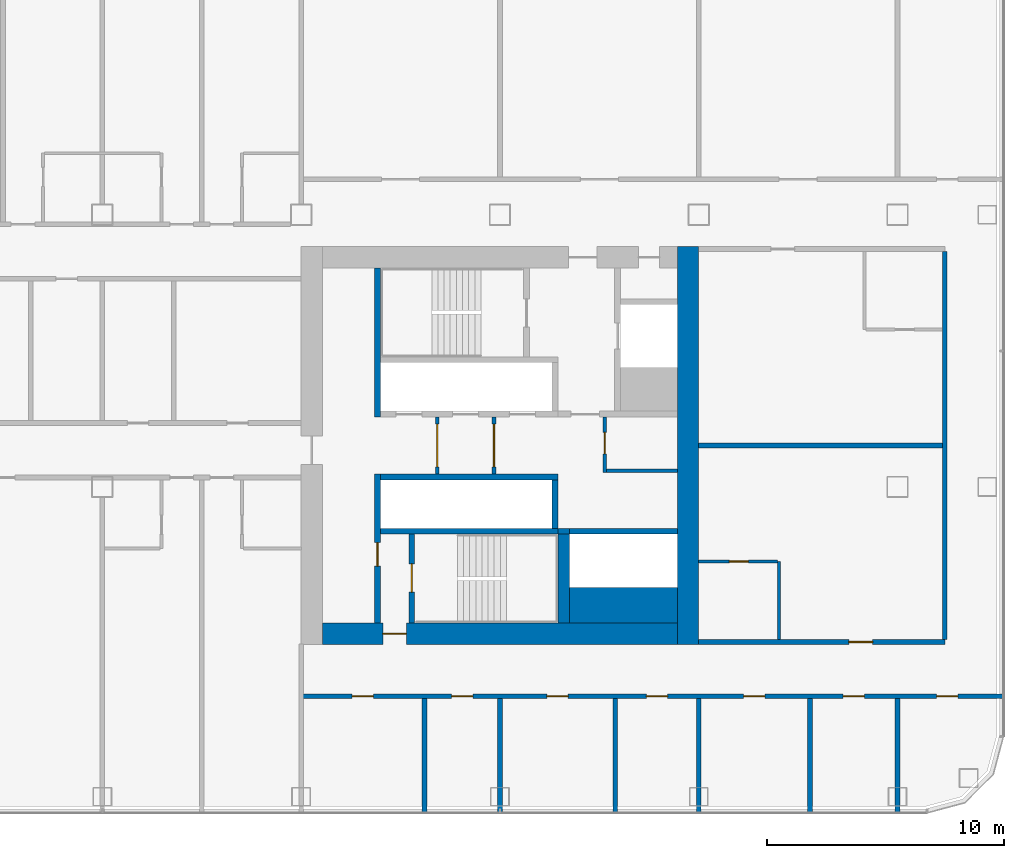
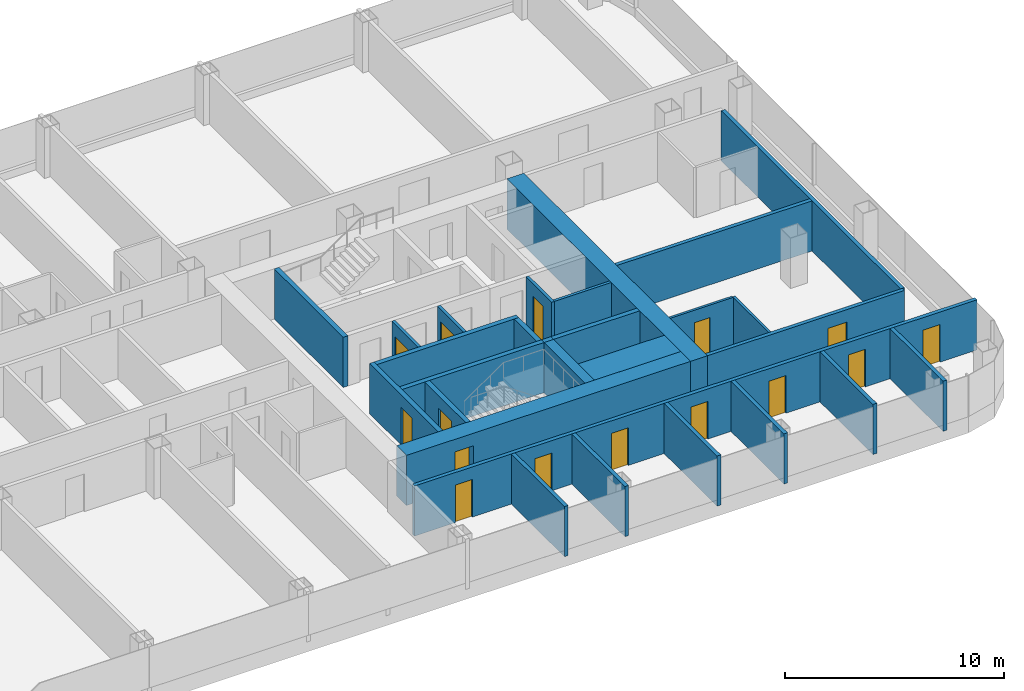
# One storey, part 19 of 29: 28 walls, 15 doors, 15 openings.
"""IFC4 building model written with IfcOpenShell, lengths in metres."""

from ifc_helpers import new_model, si_unit, direction, frame, frame_2d, origin, place, context, subcontext, project, spatial, rectangle, extrude, material, layer, layer_set, type_object, element, fill, save


model = new_model("IFC4")

# Units and contexts
model_context = context("Model", 3, precision=1e-05, world=origin(), true_north=direction((0.0, 1.0)))
body_context = subcontext(model_context, "Body", "Model", "MODEL_VIEW")
ifc_project = project(units=[si_unit("LENGTHUNIT", "METRE"), si_unit("AREAUNIT", "SQUARE_METRE"), si_unit("VOLUMEUNIT", "CUBIC_METRE"), si_unit("PLANEANGLEUNIT", "RADIAN"), si_unit("MASSUNIT", "GRAM", prefix="KILO")], contexts=[model_context])

# Site, building, storey
site_placement = place(None, origin())
site = spatial("IfcSite", under=ifc_project, at=site_placement, CompositionType="ELEMENT")
building_placement = place(site_placement, origin())
building = spatial("IfcBuilding", under=site, at=building_placement, Name="Hakoniwa Tower and Hamabe Station Hall", CompositionType="ELEMENT")
storey_placement = place(building_placement, frame((0.0, 0.0, 78.60009765625)))
storey = spatial("IfcBuildingStorey", under=building, at=storey_placement, Name="L21", CompositionType="ELEMENT", Elevation=78.60009765625)

# Wall, opening, door
ifc_material_1 = material(Name="Gypsum board partition", Category="gypsum")
ifc_layer_1 = layer(ifc_material_1, 0.125)
ifc_layer_set_1 = layer_set([ifc_layer_1], Name="Bathroom Partition 125")
wall_type_1 = type_object("IfcWallType", Name="Bathroom Partition 125", PredefinedType="PARTITIONING", material=ifc_layer_set_1)
wall_1_placement = place(storey_placement, frame((33.60009765625, -4.89990234375, 0.0), z_axis=(0.0, 0.0, 1.0), x_axis=(1.0, 0.0, 0.0)))
wall_1 = element("IfcWall", 1, at=wall_1_placement, inside=storey, type_object=wall_type_1, Name="GW-L21-006", PredefinedType="PARTITIONING", context=body_context, shape_type="SweptSolid", body=[
    extrude(rectangle(XDim=3.33740234375, YDim=0.125, at=frame_2d((1.668701171875, 0.0))), origin(), (0.0, 0.0, 1.0), 2.7998046875),
])
opening_1_placement = place(wall_1_placement, frame((1.300048828125, 0.0, 0.0)))
opening_1 = element("IfcOpeningElement", 2, at=opening_1_placement, cuts=wall_1, Name="Opening GD-G2B0-17", PredefinedType="OPENING", context=body_context, shape_type="SweptSolid", body=[
    extrude(rectangle(XDim=0.800048828125, YDim=2.10009765625, at=frame_2d((0.39990234375, 1.050048828125))), frame((0.0, 0.072509765625, 0.0), z_axis=(0.0, -1.0, 0.0), x_axis=(1.0, 0.0, 0.0)), (0.0, 0.0, 1.0), 0.14501953125),
])
ifc_material_2 = material(Name="Timber door leaf", Category="wood")
door_type_1 = type_object("IfcDoorType", Name="Bathroom Door 800", OperationType="SINGLE_SWING_LEFT", PredefinedType="DOOR", material=ifc_material_2)
door_1_placement = place(opening_1_placement, origin())
door_1 = element("IfcDoor", 3, at=door_1_placement, inside=storey, type_object=door_type_1, Name="Door GD-G2B0-17", OperationType="SINGLE_SWING_RIGHT", OverallHeight=2.10009765625, OverallWidth=0.800048828125, PredefinedType="DOOR", context=body_context, shape_type="SweptSolid", body=[
    extrude(rectangle(XDim=0.800048828125, YDim=2.10009765625, at=frame_2d((0.39990234375, 1.050048828125))), frame((0.0, 0.02490234375, 0.0), z_axis=(0.0, -1.0, 0.0), x_axis=(1.0, 0.0, 0.0)), (0.0, 0.0, 1.0), 0.050048828125),
])
fill(opening_1, door_1)

# Wall
wall_2_placement = place(storey_placement, frame((37.0, -8.199951171875, 0.0), z_axis=(0.0, 0.0, 1.0), x_axis=(0.0, 1.0, 0.0)))
element("IfcWall", 4, at=wall_2_placement, inside=storey, type_object=wall_type_1, Name="GW-L21-085", PredefinedType="PARTITIONING", context=body_context, shape_type="SweptSolid", body=[
    extrude(rectangle(XDim=3.300048828125, YDim=0.125, at=frame_2d((1.64990234375, 0.0))), origin(), (0.0, 0.0, 1.0), 2.7998046875),
])

# Wall, opening, door
ifc_material_3 = material(Name="Gypsum board partition")
ifc_layer_2 = layer(ifc_material_3, 0.14990234375)
ifc_layer_set_2 = layer_set([ifc_layer_2], Name="CORE PARTITION 150 EI 60")
wall_type_2 = type_object("IfcWallType", Name="CORE PARTITION 150 EI 60", PredefinedType="PARTITIONING", material=ifc_layer_set_2)
wall_3_placement = place(storey_placement, frame((22.550048828125, -1.199951171875, 0.0), z_axis=(0.0, 0.0, 1.0), x_axis=(0.0, 1.0, 0.0)))
wall_3 = element("IfcWall", 5, at=wall_3_placement, inside=storey, type_object=wall_type_2, Name="Core partition PL0 east", PredefinedType="PARTITIONING", context=body_context, shape_type="SweptSolid", body=[
    extrude(rectangle(XDim=2.39990234375, YDim=0.14990234375, at=frame_2d((1.199951171875, 0.0))), origin(), (0.0, 0.0, 1.0), 2.7998046875),
])
opening_2_placement = place(wall_3_placement, frame((0.300048828125, 0.0, 0.0)))
opening_2 = element("IfcOpeningElement", 6, at=opening_2_placement, cuts=wall_3, Name="Opening CD-E-LP0-18", PredefinedType="OPENING", context=body_context, shape_type="SweptSolid", body=[
    extrude(rectangle(XDim=1.800048828125, YDim=2.10009765625, at=frame_2d((0.89990234375, 1.050048828125))), frame((0.0, 0.0849609375, 0.0), z_axis=(0.0, -1.0, 0.0), x_axis=(1.0, 0.0, 0.0)), (0.0, 0.0, 1.0), 0.169921875),
])
ifc_material_4 = material(Name="Steel fire door", Category="steel")
door_type_2 = type_object("IfcDoorType", Name="CORE DOOR 1800 FD60", OperationType="DOUBLE_DOOR_SINGLE_SWING", PredefinedType="DOOR", material=ifc_material_4)
door_2_placement = place(opening_2_placement, origin())
door_2 = element("IfcDoor", 7, at=door_2_placement, inside=storey, type_object=door_type_2, Name="Lift lobby partition door", OperationType="DOUBLE_DOOR_SINGLE_SWING", OverallHeight=2.10009765625, OverallWidth=1.800048828125, PredefinedType="DOOR", context=body_context, shape_type="SweptSolid", body=[
    extrude(rectangle(XDim=1.800048828125, YDim=2.10009765625, at=frame_2d((0.89990234375, 1.050048828125))), frame((0.0, 0.02490234375, 0.0), z_axis=(0.0, -1.0, 0.0), x_axis=(1.0, 0.0, 0.0)), (0.0, 0.0, 1.0), 0.050048828125),
])
fill(opening_2, door_2)

wall_4_placement = place(storey_placement, frame((24.949951171875, -1.199951171875, 0.0), z_axis=(0.0, 0.0, 1.0), x_axis=(0.0, 1.0, 0.0)))
wall_4 = element("IfcWall", 8, at=wall_4_placement, inside=storey, type_object=wall_type_2, Name="Core partition PL1 east", PredefinedType="PARTITIONING", context=body_context, shape_type="SweptSolid", body=[
    extrude(rectangle(XDim=2.39990234375, YDim=0.14990234375, at=frame_2d((1.199951171875, 0.0))), origin(), (0.0, 0.0, 1.0), 2.7998046875),
])
opening_3_placement = place(wall_4_placement, frame((0.300048828125, 0.0, 0.0)))
opening_3 = element("IfcOpeningElement", 9, at=opening_3_placement, cuts=wall_4, Name="Opening CD-E-LP1-18", PredefinedType="OPENING", context=body_context, shape_type="SweptSolid", body=[
    extrude(rectangle(XDim=1.800048828125, YDim=2.10009765625, at=frame_2d((0.89990234375, 1.050048828125))), frame((0.0, 0.0849609375, 0.0), z_axis=(0.0, -1.0, 0.0), x_axis=(1.0, 0.0, 0.0)), (0.0, 0.0, 1.0), 0.169921875),
])
door_3_placement = place(opening_3_placement, origin())
door_3 = element("IfcDoor", 10, at=door_3_placement, inside=storey, type_object=door_type_2, Name="Lift lobby partition door", OperationType="DOUBLE_DOOR_SINGLE_SWING", OverallHeight=2.10009765625, OverallWidth=1.800048828125, PredefinedType="DOOR", context=body_context, shape_type="SweptSolid", body=[
    extrude(rectangle(XDim=1.800048828125, YDim=2.10009765625, at=frame_2d((0.89990234375, 1.050048828125))), frame((0.0, 0.02490234375, 0.0), z_axis=(0.0, -1.0, 0.0), x_axis=(1.0, 0.0, 0.0)), (0.0, 0.0, 1.0), 0.050048828125),
])
fill(opening_3, door_3)

wall_5_placement = place(storey_placement, frame((29.625, -1.14990234375, 0.0), z_axis=(0.0, 0.0, 1.0), x_axis=(0.0, 1.0, 0.0)))
wall_5 = element("IfcWall", 11, at=wall_5_placement, inside=storey, type_object=wall_type_2, Name="Core partition PW0 east", PredefinedType="PARTITIONING", context=body_context, shape_type="SweptSolid", body=[
    extrude(rectangle(XDim=2.349853515625, YDim=0.14990234375, at=frame_2d((1.1748046875, 0.0))), origin(), (0.0, 0.0, 1.0), 2.7998046875),
])
opening_4_placement = place(wall_5_placement, frame((0.800048828125, 0.0, 0.0)))
opening_4 = element("IfcOpeningElement", 12, at=opening_4_placement, cuts=wall_5, Name="Opening CD-E-RM1-9", PredefinedType="OPENING", context=body_context, shape_type="SweptSolid", body=[
    extrude(rectangle(XDim=0.89990234375, YDim=2.10009765625, at=frame_2d((0.449951171875, 1.050048828125))), frame((0.0, 0.0849609375, 0.0), z_axis=(0.0, -1.0, 0.0), x_axis=(1.0, 0.0, 0.0)), (0.0, 0.0, 1.0), 0.169921875),
])
ifc_material_5 = material(Name="Steel fire door", Category="steel")
door_type_3 = type_object("IfcDoorType", Name="CORE DOOR 900 FD30", OperationType="NOTDEFINED", PredefinedType="DOOR", material=ifc_material_5)
door_4_placement = place(opening_4_placement, origin())
door_4 = element("IfcDoor", 13, at=door_4_placement, inside=storey, type_object=door_type_3, Name="Store room door", OperationType="SINGLE_SWING_LEFT", OverallHeight=2.10009765625, OverallWidth=0.89990234375, PredefinedType="DOOR", context=body_context, shape_type="SweptSolid", body=[
    extrude(rectangle(XDim=0.89990234375, YDim=2.10009765625, at=frame_2d((0.449951171875, 1.050048828125))), frame((0.0, 0.02490234375, 0.0), z_axis=(0.0, -1.0, 0.0), x_axis=(1.0, 0.0, 0.0)), (0.0, 0.0, 1.0), 0.050048828125),
])
fill(opening_4, door_4)

# Walls
wall_6_placement = place(storey_placement, frame((29.699951171875, -1.074951171875, 0.0), z_axis=(0.0, 0.0, 1.0), x_axis=(1.0, 0.0, 0.0)))
element("IfcWall", 14, at=wall_6_placement, inside=storey, type_object=wall_type_2, Name="Core partition PS east", PredefinedType="PARTITIONING", context=body_context, shape_type="SweptSolid", body=[
    extrude(rectangle(XDim=3.0, YDim=0.14990234375, at=frame_2d((1.5, 0.0))), origin(), (0.0, 0.0, 1.0), 2.7998046875),
])
ifc_material_6 = material(Name="Concrete C72", Category="concrete")
ifc_layer_3 = layer(ifc_material_6, 0.89990234375)
ifc_layer_set_3 = layer_set([ifc_layer_3], Name="CORE WALL 900 C72")
wall_type_3 = type_object("IfcWallType", Name="CORE WALL 900 C72", PredefinedType="SHEAR", material=ifc_layer_set_3)
wall_7_placement = place(storey_placement, frame((33.14990234375, -8.39990234375, 0.0), z_axis=(0.0, 0.0, 1.0), x_axis=(0.0, 1.0, 0.0)))
element("IfcWall", 15, at=wall_7_placement, inside=storey, type_object=wall_type_3, Name="Core wall OUTER east", PredefinedType="SHEAR", context=body_context, shape_type="SweptSolid", body=[
    extrude(rectangle(XDim=16.7998046875, YDim=0.89990234375, at=frame_2d((8.39990234375, 0.0))), origin(), (0.0, 0.0, 1.0), 2.7998046875),
])

# Wall, opening, door
wall_8_placement = place(storey_placement, frame((17.699951171875, -7.949951171875, 0.0), z_axis=(0.0, 0.0, 1.0), x_axis=(1.0, 0.0, 0.0)))
wall_8 = element("IfcWall", 16, at=wall_8_placement, inside=storey, type_object=wall_type_3, Name="Core wall SOUTH east", PredefinedType="SHEAR", context=body_context, shape_type="SweptSolid", body=[
    extrude(rectangle(XDim=15.0, YDim=0.89990234375, at=frame_2d((7.5, 0.0))), origin(), (0.0, 0.0, 1.0), 2.7998046875),
])
opening_5_placement = place(wall_8_placement, frame((2.550048828125, 0.0, 0.0)))
opening_5 = element("IfcOpeningElement", 17, at=opening_5_placement, cuts=wall_8, Name="Opening CD-E-FS3-10", PredefinedType="OPENING", context=body_context, shape_type="SweptSolid", body=[
    extrude(rectangle(XDim=1.0, YDim=2.10009765625, at=frame_2d((0.5, 1.050048828125))), frame((0.0, 0.4599609375, 0.0), z_axis=(0.0, -1.0, 0.0), x_axis=(1.0, 0.0, 0.0)), (0.0, 0.0, 1.0), 0.919921875),
])
ifc_material_7 = material(Name="Steel fire door", Category="steel")
door_type_4 = type_object("IfcDoorType", Name="CORE DOOR 1000 FD60", OperationType="NOTDEFINED", PredefinedType="DOOR", material=ifc_material_7)
door_5_placement = place(opening_5_placement, origin())
door_5 = element("IfcDoor", 18, at=door_5_placement, inside=storey, type_object=door_type_4, Name="Stair vestibule door", OperationType="SINGLE_SWING_RIGHT", OverallHeight=2.10009765625, OverallWidth=1.0, PredefinedType="DOOR", context=body_context, shape_type="SweptSolid", body=[
    extrude(rectangle(XDim=1.0, YDim=2.10009765625, at=frame_2d((0.5, 1.050048828125))), frame((0.0, 0.02490234375, 0.0), z_axis=(0.0, -1.0, 0.0), x_axis=(1.0, 0.0, 0.0)), (0.0, 0.0, 1.0), 0.050048828125),
])
fill(opening_5, door_5)

# Walls
ifc_material_8 = material(Name="Concrete C72", Category="concrete")
ifc_layer_4 = layer(ifc_material_8, 1.5)
ifc_layer_set_4 = layer_set([ifc_layer_4], Name="CORE WEB WALL 1500 C72")
wall_type_4 = type_object("IfcWallType", Name="CORE WEB WALL 1500 C72", PredefinedType="SHEAR", material=ifc_layer_set_4)
wall_9_placement = place(storey_placement, frame((28.14990234375, -6.75, 0.0), z_axis=(0.0, 0.0, 1.0), x_axis=(1.0, 0.0, 0.0)))
element("IfcWall", 19, at=wall_9_placement, inside=storey, type_object=wall_type_4, Name="Core wall SER east", PredefinedType="SHEAR", context=body_context, shape_type="SweptSolid", body=[
    extrude(rectangle(XDim=4.550048828125, YDim=1.5, at=frame_2d((2.27490234375, 0.0))), origin(), (0.0, 0.0, 1.0), 2.7998046875),
])
ifc_material_9 = material(Name="Concrete C72", Category="concrete")
ifc_layer_5 = layer(ifc_material_9, 0.25)
ifc_layer_set_5 = layer_set([ifc_layer_5], Name="CORE WEB WALL 250 C72")
wall_type_5 = type_object("IfcWallType", Name="CORE WEB WALL 250 C72", PredefinedType="SHEAR", material=ifc_layer_set_5)
wall_10_placement = place(storey_placement, frame((20.02490234375, 1.199951171875, 0.0), z_axis=(0.0, 0.0, 1.0), x_axis=(0.0, 1.0, 0.0)))
element("IfcWall", 20, at=wall_10_placement, inside=storey, type_object=wall_type_5, Name="Core wall W1N east", PredefinedType="SHEAR", context=body_context, shape_type="SweptSolid", body=[
    extrude(rectangle(XDim=6.300048828125, YDim=0.25, at=frame_2d((3.14990234375, 0.0))), origin(), (0.0, 0.0, 1.0), 2.7998046875),
])

# Wall, opening, door
wall_11_placement = place(storey_placement, frame((20.02490234375, -7.5, 0.0), z_axis=(0.0, 0.0, 1.0), x_axis=(0.0, 1.0, 0.0)))
wall_11 = element("IfcWall", 21, at=wall_11_placement, inside=storey, type_object=wall_type_5, Name="Core wall W1S east", PredefinedType="SHEAR", context=body_context, shape_type="SweptSolid", body=[
    extrude(rectangle(XDim=6.300048828125, YDim=0.25, at=frame_2d((3.14990234375, 0.0))), origin(), (0.0, 0.0, 1.0), 2.7998046875),
])
opening_6_placement = place(wall_11_placement, frame((2.39990234375, 0.0, 0.0)))
opening_6 = element("IfcOpeningElement", 22, at=opening_6_placement, cuts=wall_11, Name="Opening CD-E-VS-10", PredefinedType="OPENING", context=body_context, shape_type="SweptSolid", body=[
    extrude(rectangle(XDim=1.0, YDim=2.10009765625, at=frame_2d((0.5, 1.050048828125))), frame((0.0, 0.135009765625, 0.0), z_axis=(0.0, -1.0, 0.0), x_axis=(1.0, 0.0, 0.0)), (0.0, 0.0, 1.0), 0.27001953125),
])
door_6_placement = place(opening_6_placement, origin())
door_6 = element("IfcDoor", 23, at=door_6_placement, inside=storey, type_object=door_type_4, Name="Stair vestibule door", OperationType="SINGLE_SWING_RIGHT", OverallHeight=2.10009765625, OverallWidth=1.0, PredefinedType="DOOR", context=body_context, shape_type="SweptSolid", body=[
    extrude(rectangle(XDim=1.0, YDim=2.10009765625, at=frame_2d((0.5, 1.050048828125))), frame((0.0, 0.02490234375, 0.0), z_axis=(0.0, -1.0, 0.0), x_axis=(1.0, 0.0, 0.0)), (0.0, 0.0, 1.0), 0.050048828125),
])
fill(opening_6, door_6)

# Walls
wall_12_placement = place(storey_placement, frame((20.14990234375, -1.324951171875, 0.0), z_axis=(0.0, 0.0, 1.0), x_axis=(1.0, 0.0, 0.0)))
element("IfcWall", 24, at=wall_12_placement, inside=storey, type_object=wall_type_5, Name="Core wall SF east", PredefinedType="SHEAR", context=body_context, shape_type="SweptSolid", body=[
    extrude(rectangle(XDim=7.5, YDim=0.25, at=frame_2d((3.75, 0.0))), origin(), (0.0, 0.0, 1.0), 2.7998046875),
])
wall_13_placement = place(storey_placement, frame((27.52490234375, -3.5, 0.0), z_axis=(0.0, 0.0, 1.0), x_axis=(0.0, 1.0, 0.0)))
element("IfcWall", 25, at=wall_13_placement, inside=storey, type_object=wall_type_5, Name="Core wall SE east", PredefinedType="SHEAR", context=body_context, shape_type="SweptSolid", body=[
    extrude(rectangle(XDim=2.050048828125, YDim=0.25, at=frame_2d((1.02490234375, 0.0))), origin(), (0.0, 0.0, 1.0), 2.7998046875),
])
wall_14_placement = place(storey_placement, frame((20.14990234375, -3.625, 0.0), z_axis=(0.0, 0.0, 1.0), x_axis=(1.0, 0.0, 0.0)))
element("IfcWall", 26, at=wall_14_placement, inside=storey, type_object=wall_type_5, Name="Core wall SR east", PredefinedType="SHEAR", context=body_context, shape_type="SweptSolid", body=[
    extrude(rectangle(XDim=7.5, YDim=0.25, at=frame_2d((3.75, 0.0))), origin(), (0.0, 0.0, 1.0), 2.7998046875),
])

# Wall, opening, door
wall_15_placement = place(storey_placement, frame((21.47509765625, -7.5, 0.0), z_axis=(0.0, 0.0, 1.0), x_axis=(0.0, 1.0, 0.0)))
wall_15 = element("IfcWall", 27, at=wall_15_placement, inside=storey, type_object=wall_type_5, Name="Core wall VE east", PredefinedType="SHEAR", context=body_context, shape_type="SweptSolid", body=[
    extrude(rectangle(XDim=3.75, YDim=0.25, at=frame_2d((1.875, 0.0))), origin(), (0.0, 0.0, 1.0), 2.7998046875),
])
opening_7_placement = place(wall_15_placement, frame((1.300048828125, 0.0, 0.0)))
opening_7 = element("IfcOpeningElement", 28, at=opening_7_placement, cuts=wall_15, Name="Opening CD-E-SS-12", PredefinedType="OPENING", context=body_context, shape_type="SweptSolid", body=[
    extrude(rectangle(XDim=1.199951171875, YDim=2.10009765625, at=frame_2d((0.60009765625, 1.050048828125))), frame((0.0, 0.135009765625, 0.0), z_axis=(0.0, -1.0, 0.0), x_axis=(1.0, 0.0, 0.0)), (0.0, 0.0, 1.0), 0.27001953125),
])
ifc_material_10 = material(Name="Steel fire door", Category="steel")
door_type_5 = type_object("IfcDoorType", Name="CORE DOOR 1200 FD60", OperationType="DOUBLE_DOOR_SINGLE_SWING", PredefinedType="DOOR", material=ifc_material_10)
door_7_placement = place(opening_7_placement, origin())
door_7 = element("IfcDoor", 29, at=door_7_placement, inside=storey, type_object=door_type_5, Name="Escape stair door", OperationType="DOUBLE_DOOR_SINGLE_SWING", OverallHeight=2.10009765625, OverallWidth=1.199951171875, PredefinedType="DOOR", context=body_context, shape_type="SweptSolid", body=[
    extrude(rectangle(XDim=1.199951171875, YDim=2.10009765625, at=frame_2d((0.60009765625, 1.050048828125))), frame((0.0, 0.02490234375, 0.0), z_axis=(0.0, -1.0, 0.0), x_axis=(1.0, 0.0, 0.0)), (0.0, 0.0, 1.0), 0.050048828125),
])
fill(opening_7, door_7)

# Walls
wall_16_placement = place(storey_placement, frame((28.14990234375, -3.625, 0.0), z_axis=(0.0, 0.0, 1.0), x_axis=(1.0, 0.0, 0.0)))
element("IfcWall", 30, at=wall_16_placement, inside=storey, type_object=wall_type_5, Name="Core wall SEF east", PredefinedType="SHEAR", context=body_context, shape_type="SweptSolid", body=[
    extrude(rectangle(XDim=4.550048828125, YDim=0.25, at=frame_2d((2.27490234375, 0.0))), origin(), (0.0, 0.0, 1.0), 2.7998046875),
])
wall_17_placement = place(storey_placement, frame((27.64990234375, -3.625, 0.0), z_axis=(0.0, 0.0, 1.0), x_axis=(1.0, 0.0, 0.0)))
element("IfcWall", 31, at=wall_17_placement, inside=storey, type_object=wall_type_5, Name="Core wall SRK east", PredefinedType="SHEAR", context=body_context, shape_type="SweptSolid", body=[
    extrude(rectangle(XDim=0.5, YDim=0.25, at=frame_2d((0.25, 0.0))), origin(), (0.0, 0.0, 1.0), 2.7998046875),
])
ifc_material_11 = material(Name="Concrete C72", Category="concrete")
ifc_layer_6 = layer(ifc_material_11, 0.5)
ifc_layer_set_6 = layer_set([ifc_layer_6], Name="CORE WEB WALL 500 C72")
wall_type_6 = type_object("IfcWallType", Name="CORE WEB WALL 500 C72", PredefinedType="SHEAR", material=ifc_layer_set_6)
wall_18_placement = place(storey_placement, frame((27.89990234375, -7.5, 0.0), z_axis=(0.0, 0.0, 1.0), x_axis=(0.0, 1.0, 0.0)))
element("IfcWall", 32, at=wall_18_placement, inside=storey, type_object=wall_type_6, Name="Core wall SSE east", PredefinedType="SHEAR", context=body_context, shape_type="SweptSolid", body=[
    extrude(rectangle(XDim=3.75, YDim=0.5, at=frame_2d((1.875, 0.0))), origin(), (0.0, 0.0, 1.0), 2.7998046875),
])

# Wall, openings, doors
ifc_material_12 = material(Name="Fire-rated gypsum board partition", Category="gypsum")
ifc_layer_7 = layer(ifc_material_12, 0.199951171875)
ifc_layer_set_7 = layer_set([ifc_layer_7], Name="Corridor Wall 200")
wall_type_7 = type_object("IfcWallType", Name="Corridor Wall 200", PredefinedType="PARTITIONING", material=ifc_layer_set_7)
wall_19_placement = place(storey_placement, frame((16.800048828125, -10.60009765625, 0.0), z_axis=(0.0, 0.0, 1.0), x_axis=(1.0, 0.0, 0.0)))
wall_19 = element("IfcWall", 33, at=wall_19_placement, inside=storey, type_object=wall_type_7, Name="GW-L21-002", PredefinedType="PARTITIONING", context=body_context, shape_type="SweptSolid", body=[
    extrude(rectangle(XDim=29.699951171875, YDim=0.199951171875, at=frame_2d((14.85009765625, 0.0))), origin(), (0.0, 0.0, 1.0), 2.7998046875),
])
opening_8_placement = place(wall_19_placement, frame((2.155029296875, 0.0, 0.0)))
opening_8 = element("IfcOpeningElement", 34, at=opening_8_placement, cuts=wall_19, Name="Opening GD-G2B0-07", PredefinedType="OPENING", context=body_context, shape_type="SweptSolid", body=[
    extrude(rectangle(XDim=0.89990234375, YDim=2.10009765625, at=frame_2d((0.449951171875, 1.050048828125))), frame((0.0, 0.10986328125, 0.0), z_axis=(0.0, -1.0, 0.0), x_axis=(1.0, 0.0, 0.0)), (0.0, 0.0, 1.0), 0.219970703125),
])
opening_9_placement = place(wall_19_placement, frame((6.35498046875, 0.0, 0.0)))
opening_9 = element("IfcOpeningElement", 35, at=opening_9_placement, cuts=wall_19, Name="Opening GD-G2B0-08", PredefinedType="OPENING", context=body_context, shape_type="SweptSolid", body=[
    extrude(rectangle(XDim=0.89990234375, YDim=2.10009765625, at=frame_2d((0.449951171875, 1.050048828125))), frame((0.0, 0.10986328125, 0.0), z_axis=(0.0, -1.0, 0.0), x_axis=(1.0, 0.0, 0.0)), (0.0, 0.0, 1.0), 0.219970703125),
])
opening_10_placement = place(wall_19_placement, frame((10.385009765625, 0.0, 0.0)))
opening_10 = element("IfcOpeningElement", 36, at=opening_10_placement, cuts=wall_19, Name="Opening GD-G2B0-09", PredefinedType="OPENING", context=body_context, shape_type="SweptSolid", body=[
    extrude(rectangle(XDim=0.89990234375, YDim=2.10009765625, at=frame_2d((0.449951171875, 1.050048828125))), frame((0.0, 0.10986328125, 0.0), z_axis=(0.0, -1.0, 0.0), x_axis=(1.0, 0.0, 0.0)), (0.0, 0.0, 1.0), 0.219970703125),
])
opening_11_placement = place(wall_19_placement, frame((14.5849609375, 0.0, 0.0)))
opening_11 = element("IfcOpeningElement", 37, at=opening_11_placement, cuts=wall_19, Name="Opening GD-G2B0-10", PredefinedType="OPENING", context=body_context, shape_type="SweptSolid", body=[
    extrude(rectangle(XDim=0.89990234375, YDim=2.10009765625, at=frame_2d((0.449951171875, 1.050048828125))), frame((0.0, 0.10986328125, 0.0), z_axis=(0.0, -1.0, 0.0), x_axis=(1.0, 0.0, 0.0)), (0.0, 0.0, 1.0), 0.219970703125),
])
opening_12_placement = place(wall_19_placement, frame((18.699951171875, 0.0, 0.0)))
opening_12 = element("IfcOpeningElement", 38, at=opening_12_placement, cuts=wall_19, Name="Opening GD-G2B0-11", PredefinedType="OPENING", context=body_context, shape_type="SweptSolid", body=[
    extrude(rectangle(XDim=0.89990234375, YDim=2.10009765625, at=frame_2d((0.449951171875, 1.050048828125))), frame((0.0, 0.10986328125, 0.0), z_axis=(0.0, -1.0, 0.0), x_axis=(1.0, 0.0, 0.0)), (0.0, 0.0, 1.0), 0.219970703125),
])
opening_13_placement = place(wall_19_placement, frame((22.89990234375, 0.0, 0.0)))
opening_13 = element("IfcOpeningElement", 39, at=opening_13_placement, cuts=wall_19, Name="Opening GD-G2B0-12", PredefinedType="OPENING", context=body_context, shape_type="SweptSolid", body=[
    extrude(rectangle(XDim=0.89990234375, YDim=2.10009765625, at=frame_2d((0.449951171875, 1.050048828125))), frame((0.0, 0.10986328125, 0.0), z_axis=(0.0, -1.0, 0.0), x_axis=(1.0, 0.0, 0.0)), (0.0, 0.0, 1.0), 0.219970703125),
])
opening_14_placement = place(wall_19_placement, frame((26.85009765625, 0.0, 0.0)))
opening_14 = element("IfcOpeningElement", 40, at=opening_14_placement, cuts=wall_19, Name="Opening GD-G2B0-13", PredefinedType="OPENING", context=body_context, shape_type="SweptSolid", body=[
    extrude(rectangle(XDim=0.89990234375, YDim=2.10009765625, at=frame_2d((0.449951171875, 1.050048828125))), frame((0.0, 0.10986328125, 0.0), z_axis=(0.0, -1.0, 0.0), x_axis=(1.0, 0.0, 0.0)), (0.0, 0.0, 1.0), 0.219970703125),
])
ifc_material_13 = material(Name="Timber door leaf", Category="wood")
door_type_6 = type_object("IfcDoorType", Name="Service Door 900", OperationType="SINGLE_SWING_LEFT", PredefinedType="DOOR", material=ifc_material_13)
door_8_placement = place(opening_8_placement, origin())
door_8 = element("IfcDoor", 41, at=door_8_placement, inside=storey, type_object=door_type_6, Name="Door GD-G2B0-07", OperationType="SINGLE_SWING_RIGHT", OverallHeight=2.10009765625, OverallWidth=0.89990234375, PredefinedType="DOOR", context=body_context, shape_type="SweptSolid", body=[
    extrude(rectangle(XDim=0.89990234375, YDim=2.10009765625, at=frame_2d((0.449951171875, 1.050048828125))), frame((0.0, 0.02490234375, 0.0), z_axis=(0.0, -1.0, 0.0), x_axis=(1.0, 0.0, 0.0)), (0.0, 0.0, 1.0), 0.050048828125),
])
fill(opening_8, door_8)
door_9_placement = place(opening_9_placement, origin())
door_9 = element("IfcDoor", 42, at=door_9_placement, inside=storey, type_object=door_type_6, Name="Door GD-G2B0-08", OperationType="SINGLE_SWING_LEFT", OverallHeight=2.10009765625, OverallWidth=0.89990234375, PredefinedType="DOOR", context=body_context, shape_type="SweptSolid", body=[
    extrude(rectangle(XDim=0.89990234375, YDim=2.10009765625, at=frame_2d((0.449951171875, 1.050048828125))), frame((0.0, 0.02490234375, 0.0), z_axis=(0.0, -1.0, 0.0), x_axis=(1.0, 0.0, 0.0)), (0.0, 0.0, 1.0), 0.050048828125),
])
fill(opening_9, door_9)
door_10_placement = place(opening_10_placement, origin())
door_10 = element("IfcDoor", 43, at=door_10_placement, inside=storey, type_object=door_type_6, Name="Door GD-G2B0-09", OperationType="SINGLE_SWING_RIGHT", OverallHeight=2.10009765625, OverallWidth=0.89990234375, PredefinedType="DOOR", context=body_context, shape_type="SweptSolid", body=[
    extrude(rectangle(XDim=0.89990234375, YDim=2.10009765625, at=frame_2d((0.449951171875, 1.050048828125))), frame((0.0, 0.02490234375, 0.0), z_axis=(0.0, -1.0, 0.0), x_axis=(1.0, 0.0, 0.0)), (0.0, 0.0, 1.0), 0.050048828125),
])
fill(opening_10, door_10)
door_11_placement = place(opening_11_placement, origin())
door_11 = element("IfcDoor", 44, at=door_11_placement, inside=storey, type_object=door_type_6, Name="Door GD-G2B0-10", OperationType="SINGLE_SWING_RIGHT", OverallHeight=2.10009765625, OverallWidth=0.89990234375, PredefinedType="DOOR", context=body_context, shape_type="SweptSolid", body=[
    extrude(rectangle(XDim=0.89990234375, YDim=2.10009765625, at=frame_2d((0.449951171875, 1.050048828125))), frame((0.0, 0.02490234375, 0.0), z_axis=(0.0, -1.0, 0.0), x_axis=(1.0, 0.0, 0.0)), (0.0, 0.0, 1.0), 0.050048828125),
])
fill(opening_11, door_11)
door_12_placement = place(opening_12_placement, origin())
door_12 = element("IfcDoor", 45, at=door_12_placement, inside=storey, type_object=door_type_6, Name="Door GD-G2B0-11", OperationType="SINGLE_SWING_LEFT", OverallHeight=2.10009765625, OverallWidth=0.89990234375, PredefinedType="DOOR", context=body_context, shape_type="SweptSolid", body=[
    extrude(rectangle(XDim=0.89990234375, YDim=2.10009765625, at=frame_2d((0.449951171875, 1.050048828125))), frame((0.0, 0.02490234375, 0.0), z_axis=(0.0, -1.0, 0.0), x_axis=(1.0, 0.0, 0.0)), (0.0, 0.0, 1.0), 0.050048828125),
])
fill(opening_12, door_12)
door_13_placement = place(opening_13_placement, origin())
door_13 = element("IfcDoor", 46, at=door_13_placement, inside=storey, type_object=door_type_6, Name="Door GD-G2B0-12", OperationType="SINGLE_SWING_RIGHT", OverallHeight=2.10009765625, OverallWidth=0.89990234375, PredefinedType="DOOR", context=body_context, shape_type="SweptSolid", body=[
    extrude(rectangle(XDim=0.89990234375, YDim=2.10009765625, at=frame_2d((0.449951171875, 1.050048828125))), frame((0.0, 0.02490234375, 0.0), z_axis=(0.0, -1.0, 0.0), x_axis=(1.0, 0.0, 0.0)), (0.0, 0.0, 1.0), 0.050048828125),
])
fill(opening_13, door_13)
door_14_placement = place(opening_14_placement, origin())
door_14 = element("IfcDoor", 47, at=door_14_placement, inside=storey, type_object=door_type_6, Name="Door GD-G2B0-13", OperationType="SINGLE_SWING_LEFT", OverallHeight=2.10009765625, OverallWidth=0.89990234375, PredefinedType="DOOR", context=body_context, shape_type="SweptSolid", body=[
    extrude(rectangle(XDim=0.89990234375, YDim=2.10009765625, at=frame_2d((0.449951171875, 1.050048828125))), frame((0.0, 0.02490234375, 0.0), z_axis=(0.0, -1.0, 0.0), x_axis=(1.0, 0.0, 0.0)), (0.0, 0.0, 1.0), 0.050048828125),
])
fill(opening_14, door_14)

# Wall, opening, door
wall_20_placement = place(storey_placement, frame((33.60009765625, -8.300048828125, 0.0), z_axis=(0.0, 0.0, 1.0), x_axis=(1.0, 0.0, 0.0)))
wall_20 = element("IfcWall", 48, at=wall_20_placement, inside=storey, type_object=wall_type_7, Name="GW-L21-004", PredefinedType="PARTITIONING", context=body_context, shape_type="SweptSolid", body=[
    extrude(rectangle(XDim=10.39990234375, YDim=0.199951171875, at=frame_2d((5.199951171875, 0.0))), origin(), (0.0, 0.0, 1.0), 2.7998046875),
])
opening_15_placement = place(wall_20_placement, frame((6.35009765625, 0.0, 0.0)))
opening_15 = element("IfcOpeningElement", 49, at=opening_15_placement, cuts=wall_20, Name="Opening GD-G2B0-15", PredefinedType="OPENING", context=body_context, shape_type="SweptSolid", body=[
    extrude(rectangle(XDim=1.0, YDim=2.10009765625, at=frame_2d((0.5, 1.050048828125))), frame((0.0, 0.10986328125, 0.0), z_axis=(0.0, -1.0, 0.0), x_axis=(1.0, 0.0, 0.0)), (0.0, 0.0, 1.0), 0.219970703125),
])
ifc_material_14 = material(Name="Timber door leaf", Category="wood")
door_type_7 = type_object("IfcDoorType", Name="Guest Entrance Door 1000", OperationType="SINGLE_SWING_LEFT", PredefinedType="DOOR", material=ifc_material_14)
door_15_placement = place(opening_15_placement, origin())
door_15 = element("IfcDoor", 50, at=door_15_placement, inside=storey, type_object=door_type_7, Name="Door GD-G2B0-15", OperationType="SINGLE_SWING_RIGHT", OverallHeight=2.10009765625, OverallWidth=1.0, PredefinedType="DOOR", context=body_context, shape_type="SweptSolid", body=[
    extrude(rectangle(XDim=1.0, YDim=2.10009765625, at=frame_2d((0.5, 1.050048828125))), frame((0.0, 0.02490234375, 0.0), z_axis=(0.0, -1.0, 0.0), x_axis=(1.0, 0.0, 0.0)), (0.0, 0.0, 1.0), 0.050048828125),
])
fill(opening_15, door_15)

# Walls
ifc_material_15 = material(Name="Fire-rated gypsum board partition", Category="gypsum")
ifc_layer_8 = layer(ifc_material_15, 0.199951171875)
ifc_layer_set_8 = layer_set([ifc_layer_8], Name="Party Wall 200")
wall_type_8 = type_object("IfcWallType", Name="Party Wall 200", PredefinedType="PARTITIONING", material=ifc_layer_set_8)
wall_21_placement = place(storey_placement, frame((33.60009765625, 0.0, 0.0), z_axis=(0.0, 0.0, 1.0), x_axis=(1.0, 0.0, 0.0)))
element("IfcWall", 51, at=wall_21_placement, inside=storey, type_object=wall_type_8, Name="GW-L21-014", PredefinedType="PARTITIONING", context=body_context, shape_type="SweptSolid", body=[
    extrude(rectangle(XDim=10.2998046875, YDim=0.199951171875, at=frame_2d((5.14990234375, 0.0))), origin(), (0.0, 0.0, 1.0), 2.7998046875),
])
for number, where, z_axis, x_axis, name in (
    (52, (22.010009765625, -15.550048828125, 0.0), (0.0, 0.0, 1.0), (0.0, 1.0, 0.0), "GW-L21-079"),
    (53, (25.199951171875, -15.550048828125, 0.0), (0.0, 0.0, 1.0), (0.0, 1.0, 0.0), "GW-L21-080"),
    (54, (30.070068359375, -15.550048828125, 0.0), (0.0, 0.0, 1.0), (0.0, 1.0, 0.0), "GW-L21-082"),
    (55, (33.60009765625, -15.550048828125, 0.0), (0.0, 0.0, 1.0), (0.0, 1.0, 0.0), "GW-L21-083"),
    (56, (38.300048828125, -15.550048828125, 0.0), (0.0, 0.0, 1.0), (0.0, 1.0, 0.0), "GW-L21-086"),
    (57, (42.0, -15.550048828125, 0.0), (0.0, 0.0, 1.0), (0.0, 1.0, 0.0), "GW-L21-088"),
):
    element("IfcWall", number, at=place(storey_placement, frame(where, z_axis=z_axis, x_axis=x_axis)), inside=storey, type_object=wall_type_8, Name=name, PredefinedType="PARTITIONING", context=body_context, shape_type="SweptSolid", body=[
        extrude(rectangle(XDim=4.85009765625, YDim=0.199951171875, at=frame_2d((2.425048828125, 0.0))), origin(), (0.0, 0.0, 1.0), 2.7998046875),
    ])
wall_22_placement = place(storey_placement, frame((44.0, -8.199951171875, 0.0), z_axis=(0.0, 0.0, 1.0), x_axis=(0.0, 1.0, 0.0)))
element("IfcWall", 58, at=wall_22_placement, inside=storey, type_object=wall_type_8, Name="GW-L21-090", PredefinedType="PARTITIONING", context=body_context, shape_type="SweptSolid", body=[
    extrude(rectangle(XDim=16.39990234375, YDim=0.199951171875, at=frame_2d((8.199951171875, 0.0))), origin(), (0.0, 0.0, 1.0), 2.7998046875),
])

save(model, "model.ifc")
